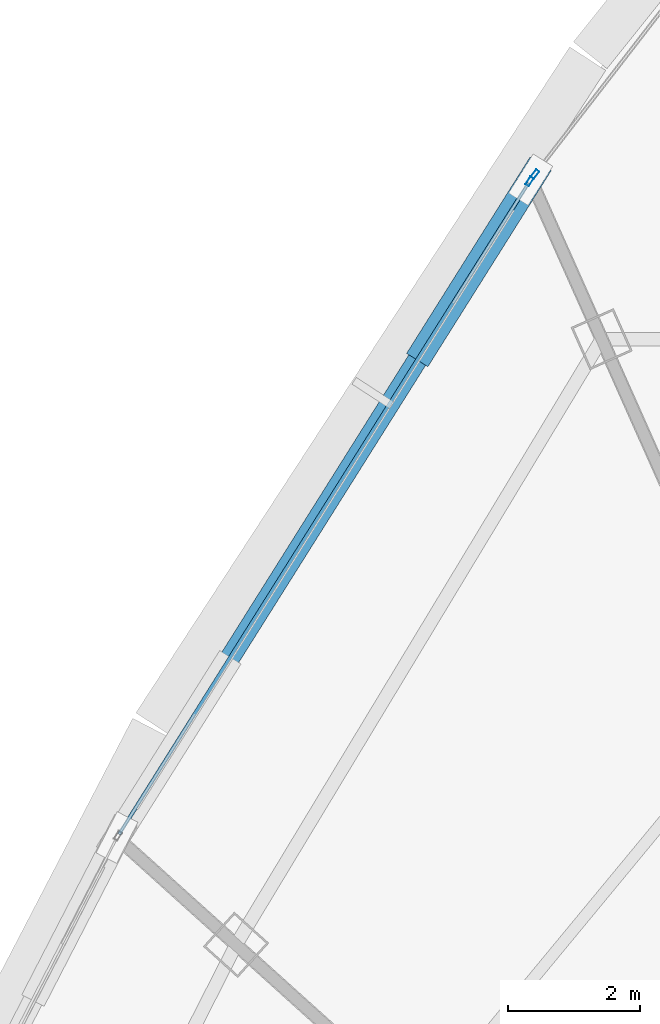
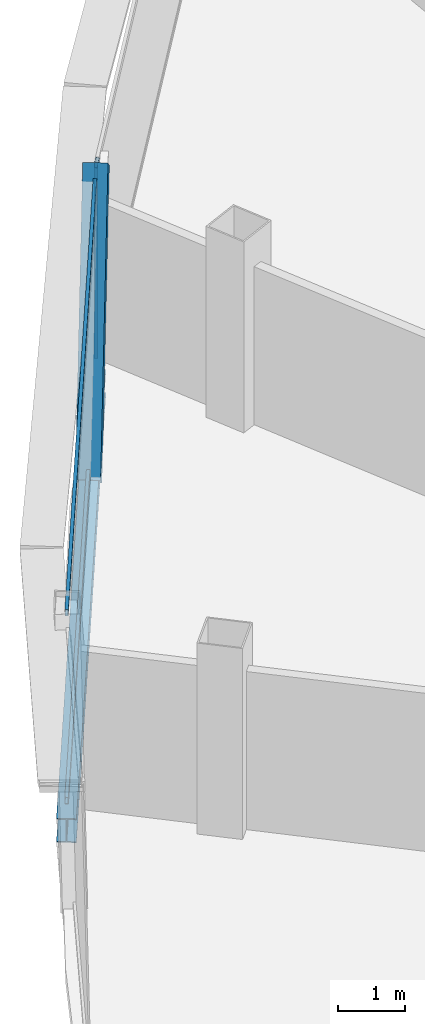
# One storey, part 17 of 30: 5 members, 1 beam, 2 elements without a shape of their own.
"""IFC4 building model written with IfcOpenShell, lengths in metres."""

from ifc_helpers import new_model, si_unit, direction, frame, origin, origin_2d, place, context, subcontext, project, spatial, hollow_rectangle, i_section, extrude, source, transform, mapped, material, layer, layer_set, material_profile, profile_set, type_object, element, aggregate, save


model = new_model("IFC4")

# Units and contexts
model_context = context("Model", 3, precision=1e-05, world=origin(), true_north=direction((0.0, 1.0)))
body_context = subcontext(model_context, "Body", "Model", "MODEL_VIEW")
ifc_project = project(units=[si_unit("LENGTHUNIT", "METRE"), si_unit("AREAUNIT", "SQUARE_METRE"), si_unit("VOLUMEUNIT", "CUBIC_METRE"), si_unit("PLANEANGLEUNIT", "RADIAN"), si_unit("MASSUNIT", "GRAM", prefix="KILO"), si_unit("THERMODYNAMICTEMPERATUREUNIT", "KELVIN"), si_unit("POWERUNIT", "WATT")], contexts=[model_context])

# Site, building, storey
site_placement = place(None, origin())
site = spatial("IfcSite", under=ifc_project, at=site_placement, CompositionType="ELEMENT")
building_placement = place(site_placement, origin())
building = spatial("IfcBuilding", under=site, at=building_placement, Name="Yunzhuo Pagoda Commons", CompositionType="ELEMENT")
storey_placement = place(building_placement, frame((0.0, 0.0, 348.010009765625)))
storey = spatial("IfcBuildingStorey", under=building, at=storey_placement, Name="L87", CompositionType="ELEMENT", Elevation=348.010009765625)

# Beam
ifc_material_1 = material(Name="Structural steel Q355B", Category="steel")
ifc_material_profile_1 = material_profile(ifc_material_1, i_section(OverallWidth=0.300048828125, OverallDepth=0.43994140625, WebThickness=0.010986328125, FlangeThickness=0.01806640625, at=origin_2d()), Name="Structural steel Q355B")
ifc_profile_set_1 = profile_set([ifc_material_profile_1], Name="Structural steel Q355B")
beam_type = type_object("IfcBeamType", Name="B-SP2 Beam HM 440x300x11x18", PredefinedType="BEAM", material=ifc_profile_set_1)
shared_shape_1 = source(origin(), body_context, "Body", "SweptSolid", [
    extrude(i_section(OverallWidth=0.300048828125, OverallDepth=0.43994140625, WebThickness=0.010986328125, FlangeThickness=0.01806640625, at=origin_2d()), origin(), (0.0, 0.0, 1.0), 11.74462890625),
])
beam_placement = place(storey_placement, frame((36.427734375, 59.69140625, -0.47998046875), z_axis=(-0.532345654655, -0.846527084014, 0.0), x_axis=(0.846527084014, -0.532345654655, 0.0)))
element("IfcBeam", 1, at=beam_placement, inside=storey, type_object=beam_type, Name="L87 facade edge spandrel beam F3.1", PredefinedType="BEAM", context=body_context, shape_type="MappedRepresentation", body=[
    mapped(shared_shape_1, transform((0.0, 0.0, 0.0), scale=1.0)),
])

# Member
ifc_material_profile_2 = material_profile(ifc_material_1, hollow_rectangle(XDim=0.3798828125, YDim=0.719970703125, WallThickness=0.02001953125, at=origin_2d()), Name="Structural steel Q355B")
ifc_profile_set_2 = profile_set([ifc_material_profile_2], Name="Structural steel Q355B")
member_type_1 = type_object("IfcMemberType", Name="M-DL3 Brace BOX 720x380x20", PredefinedType="BRACE", material=ifc_profile_set_2)
shared_shape_2 = source(origin(), body_context, "Body", "SweptSolid", [
    extrude(hollow_rectangle(XDim=0.3798828125, YDim=0.719970703125, WallThickness=0.02001953125, at=origin_2d()), origin(), (0.0, 0.0, 1.0), 4.7626953125),
])
member_1_placement = place(storey_placement, frame((34.86474609375, 57.2060546875, -0.260009765625), z_axis=(0.328179292087, 0.521847109255, 0.787384243434), x_axis=(-0.846518778159, 0.532358862257, 0.0)))
element("IfcMember", 2, at=member_1_placement, inside=storey, type_object=member_type_1, Name="L87 facade diamond brace F3.1L", PredefinedType="BRACE", context=body_context, shape_type="MappedRepresentation", body=[
    mapped(shared_shape_2, transform((0.0, 0.0, 0.0), scale=1.0)),
])

# Curtain wall, member
ifc_material_2 = material(Name="Anodized aluminium 6063-T6", Category="aluminium")
ifc_layer = layer(ifc_material_2, 0.139892578125)
ifc_layer_set = layer_set([ifc_layer], Name="Anodized aluminium 6063-T6")
curtain_wall_type = type_object("IfcCurtainWallType", Name="CW-HI High-Zone Ribbon Curtain Wall", PredefinedType="NOTDEFINED", material=ifc_layer_set)
curtain_wall_1_placement = place(storey_placement, origin())
curtain_wall_1 = element("IfcCurtainWall", 3, at=curtain_wall_1_placement, inside=storey, type_object=curtain_wall_type, Name="L87 curtain wall CW-L87-F3B2", PredefinedType="NOTDEFINED")
ifc_material_profile_3 = material_profile(ifc_material_2, hollow_rectangle(XDim=0.06005859375, YDim=0.139892578125, WallThickness=0.00341796875, at=origin_2d()), Name="Anodized aluminium 6063-T6")
ifc_profile_set_3 = profile_set([ifc_material_profile_3], Name="Anodized aluminium 6063-T6")
member_type_2 = type_object("IfcMemberType", Name="CW-HI-M Mullion RHS 140x60x3.5", PredefinedType="MULLION", material=ifc_profile_set_3)
shared_shape_3 = source(origin(), body_context, "Body", "SweptSolid", [
    extrude(hollow_rectangle(XDim=0.06005859375, YDim=0.139892578125, WallThickness=0.00341796875, at=origin_2d()), origin(), (0.0, 0.0, 1.0), 3.489990234375),
])
member_2_placement = place(storey_placement, frame((36.411865234375, 59.666015625, 0.0), z_axis=(0.0, 0.0, 1.0), x_axis=(0.846524621891, -0.532349569861, 0.0)))
member_2 = element("IfcMember", 4, at=member_2_placement, type_object=member_type_2, Name="CW mullion 1", PredefinedType="MULLION", context=body_context, shape_type="MappedRepresentation", body=[
    mapped(shared_shape_3, transform((0.0, 0.0, 0.0), scale=1.0)),
])

curtain_wall_2_placement = place(storey_placement, origin())
curtain_wall_2 = element("IfcCurtainWall", 5, at=curtain_wall_2_placement, inside=storey, type_object=curtain_wall_type, Name="L87 curtain wall CW-L87-F3B1", PredefinedType="NOTDEFINED")
member_3_placement = place(storey_placement, frame((36.491943359375, 59.7744140625, 0.0), z_axis=(0.0, 0.0, 1.0), x_axis=(0.790927145065, -0.611910329378, 0.0)))
member_3 = element("IfcMember", 6, at=member_3_placement, type_object=member_type_2, Name="CW mullion 2", PredefinedType="MULLION", context=body_context, shape_type="MappedRepresentation", body=[
    mapped(shared_shape_3, transform((0.0, 0.0, 0.0), scale=1.0)),
])
aggregate(curtain_wall_2, [member_3])

# Member
ifc_material_profile_4 = material_profile(ifc_material_2, hollow_rectangle(XDim=0.054931640625, YDim=0.1201171875, WallThickness=0.00341796875, at=origin_2d()), Name="Anodized aluminium 6063-T6")
ifc_profile_set_4 = profile_set([ifc_material_profile_4], Name="Anodized aluminium 6063-T6")
member_type_3 = type_object("IfcMemberType", Name="CW-HI-T Transom RHS 120x55x3.5", PredefinedType="USERDEFINED", material=ifc_profile_set_4)
shared_shape_4 = source(origin(), body_context, "Body", "SweptSolid", [
    extrude(hollow_rectangle(XDim=0.054931640625, YDim=0.1201171875, WallThickness=0.00341796875, at=origin_2d()), origin(), (0.0, 0.0, 1.0), 11.62451171875),
])
member_4_placement = place(storey_placement, frame((36.395751953125, 59.640625, 0.027587890625), z_axis=(-0.532324660468, -0.846540286021, 0.0), x_axis=(0.846540286021, -0.532324660468, 0.0)))
member_4 = element("IfcMember", 7, at=member_4_placement, type_object=member_type_3, Name="CW transom 1.1", ObjectType="TRANSOM", PredefinedType="USERDEFINED", context=body_context, shape_type="MappedRepresentation", body=[
    mapped(shared_shape_4, transform((0.0, 0.0, 0.0), scale=1.0)),
])

member_5_placement = place(storey_placement, frame((36.395751953125, 59.640625, 3.46240234375), z_axis=(-0.532324660468, -0.846540286021, 0.0), x_axis=(0.846540286021, -0.532324660468, 0.0)))
member_5 = element("IfcMember", 8, at=member_5_placement, type_object=member_type_3, Name="CW transom 1.2", ObjectType="TRANSOM", PredefinedType="USERDEFINED", context=body_context, shape_type="MappedRepresentation", body=[
    mapped(shared_shape_4, transform((0.0, 0.0, 0.0), scale=1.0)),
])

aggregate(curtain_wall_1, [member_2, member_4, member_5])

save(model, "model.ifc")
